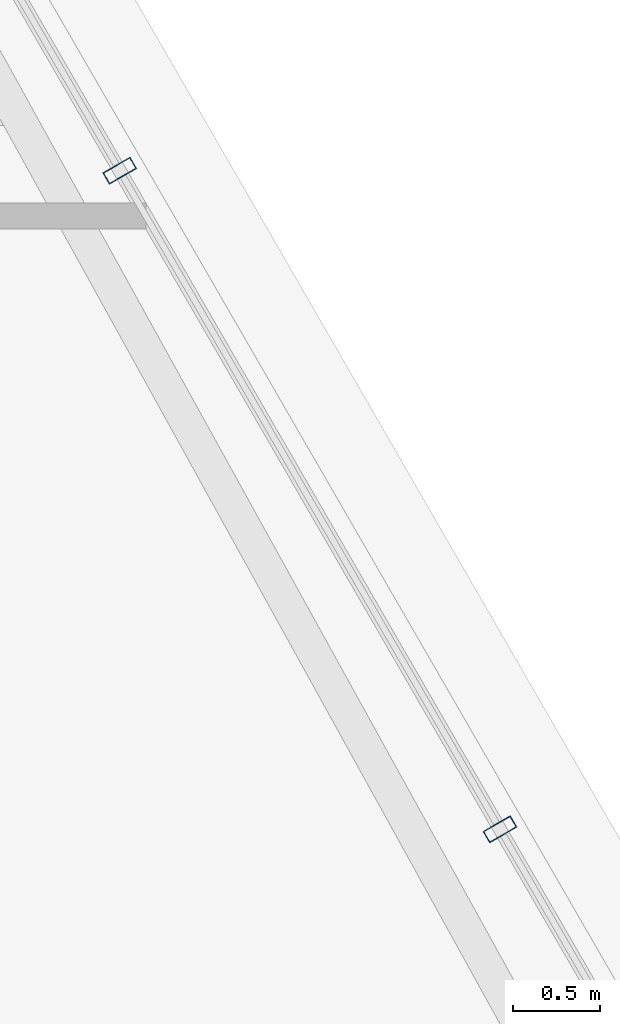
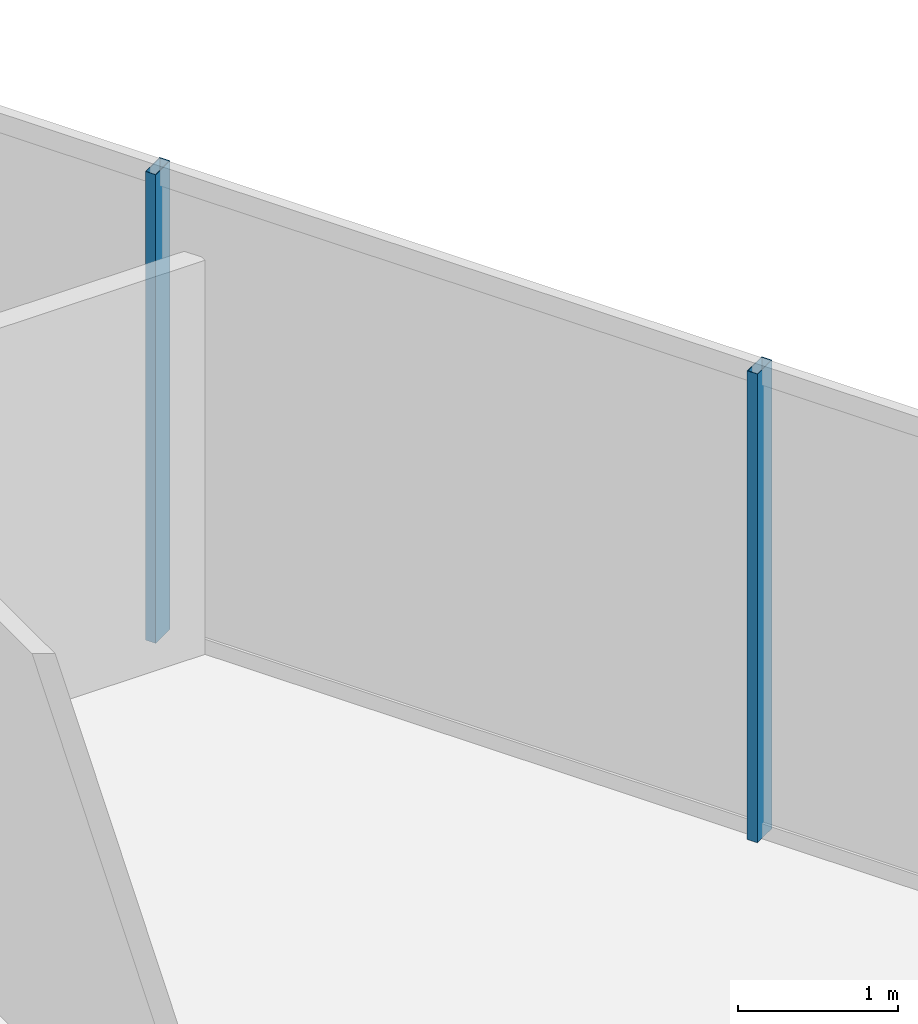
# One storey, part 17 of 29: 2 members, 1 element without a shape of its own.
"""IFC4 building model written with IfcOpenShell, lengths in metres."""

from ifc_helpers import new_model, si_unit, direction, frame, origin, origin_2d, place, context, subcontext, project, spatial, hollow_rectangle, extrude, material, layer, layer_set, material_profile, profile_set, type_object, element, aggregate, save


model = new_model("IFC4")

# Units and contexts
model_context = context("Model", 3, precision=1e-05, world=origin(), true_north=direction((0.0, 1.0)))
body_context = subcontext(model_context, "Body", "Model", "MODEL_VIEW")
ifc_project = project(units=[si_unit("LENGTHUNIT", "METRE"), si_unit("AREAUNIT", "SQUARE_METRE"), si_unit("VOLUMEUNIT", "CUBIC_METRE"), si_unit("PLANEANGLEUNIT", "RADIAN"), si_unit("MASSUNIT", "GRAM", prefix="KILO")], contexts=[model_context])

# Site, building, storey
site_placement = place(None, origin())
site = spatial("IfcSite", under=ifc_project, at=site_placement, CompositionType="ELEMENT")
building_placement = place(site_placement, origin())
building = spatial("IfcBuilding", under=site, at=building_placement, Name="Ndaravel Arena Tower", CompositionType="ELEMENT")
storey_placement = place(building_placement, frame((0.0, 0.0, 229.39990234375)))
storey = spatial("IfcBuildingStorey", under=building, at=storey_placement, Name="L55", CompositionType="ELEMENT", Elevation=229.39990234375)

# Curtain wall, members
ifc_material_1 = material(Name="Aluminium", Category="aluminium")
ifc_layer = layer(ifc_material_1, 0.179931640625)
ifc_layer_set = layer_set([ifc_layer], Name="Aluminium")
curtain_wall_type = type_object("IfcCurtainWallType", Name="CW-SYS-03", PredefinedType="NOTDEFINED", material=ifc_layer_set)
curtain_wall_placement = place(storey_placement, origin())
curtain_wall = element("IfcCurtainWall", 1, at=curtain_wall_placement, inside=storey, type_object=curtain_wall_type, Name="L55 Faceted Crystal Curtain Wall CW-L55-E03", PredefinedType="NOTDEFINED")
ifc_material_2 = material(Name="Aluminium", Category="aluminium")
ifc_material_profile = material_profile(ifc_material_2, hollow_rectangle(XDim=0.074951171875, YDim=0.179931640625, WallThickness=0.00390625, at=origin_2d()), Name="CW MULLION 75x180x4")
ifc_profile_set = profile_set([ifc_material_profile], Name="Aluminium")
member_type = type_object("IfcMemberType", Name="MEM-CW-MUL180", PredefinedType="MULLION", material=ifc_profile_set)
member_1_placement = place(storey_placement, frame((58.6455078125, 22.69287109375, 0.0), z_axis=(0.0, 0.0, 1.0), x_axis=(-0.5, 0.866025403784, 0.0)))
member_1 = element("IfcMember", 2, at=member_1_placement, type_object=member_type, Name="CW-L55-E03 Mullion 03", PredefinedType="MULLION", context=body_context, shape_type="SweptSolid", body=[
    extrude(hollow_rectangle(XDim=0.074951171875, YDim=0.179931640625, WallThickness=0.00390625, at=origin_2d()), origin(), (0.0, 0.0, 1.0), 3.580078125),
])
member_2_placement = place(storey_placement, frame((56.47119140625, 26.458984375, 0.0), z_axis=(0.0, 0.0, 1.0), x_axis=(-0.5, 0.866025403784, 0.0)))
member_2 = element("IfcMember", 3, at=member_2_placement, type_object=member_type, Name="CW-L55-E03 Mullion 04", PredefinedType="MULLION", context=body_context, shape_type="SweptSolid", body=[
    extrude(hollow_rectangle(XDim=0.074951171875, YDim=0.179931640625, WallThickness=0.00390625, at=origin_2d()), origin(), (0.0, 0.0, 1.0), 3.580078125),
])
aggregate(curtain_wall, [member_1, member_2])

save(model, "model.ifc")
